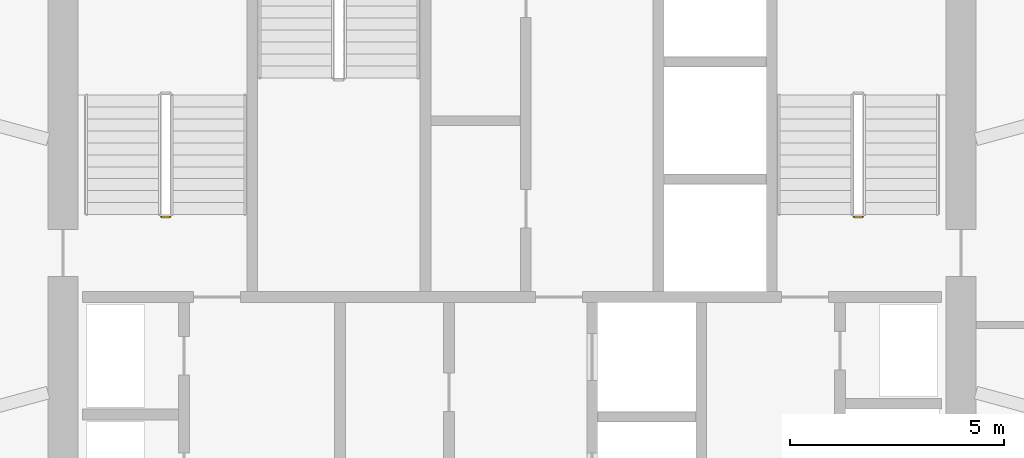
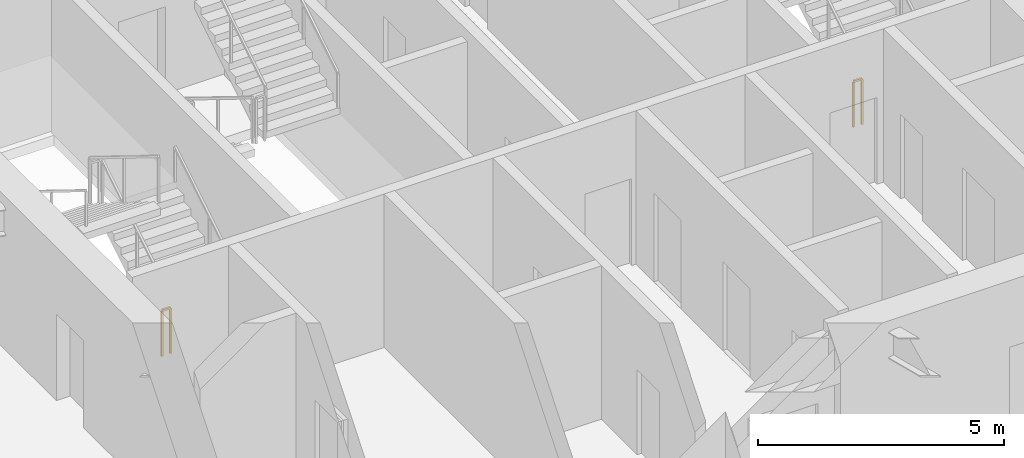
# One storey, part 26 of 28: 2 railings.
"""IFC4 building model written with IfcOpenShell, lengths in metres."""

from ifc_helpers import new_model, si_unit, direction, frame, origin, origin_2d, place, context, subcontext, project, spatial, rectangle, extrude, material, type_object, element, save


model = new_model("IFC4")

# Units and contexts
model_context = context("Model", 3, precision=1e-05, world=origin(), true_north=direction((0.0, 1.0)))
body_context = subcontext(model_context, "Body", "Model", "MODEL_VIEW")
ifc_project = project(units=[si_unit("LENGTHUNIT", "METRE"), si_unit("AREAUNIT", "SQUARE_METRE"), si_unit("VOLUMEUNIT", "CUBIC_METRE"), si_unit("PLANEANGLEUNIT", "RADIAN"), si_unit("MASSUNIT", "GRAM", prefix="KILO")], contexts=[model_context])

# Site, building, storey
site_placement = place(None, origin())
site = spatial("IfcSite", under=ifc_project, at=site_placement, CompositionType="ELEMENT")
building_placement = place(site_placement, origin())
building = spatial("IfcBuilding", under=site, at=building_placement, Name="Zuhravey Tower", CompositionType="ELEMENT")
storey_placement = place(building_placement, frame((0.0, 0.0, 154.199951171875)))
storey = spatial("IfcBuildingStorey", under=building, at=storey_placement, Name="L38", CompositionType="ELEMENT", Elevation=154.199951171875)

# Railings
ifc_material = material(Name="Painted tubular steel", Category="steel")
railing_type = type_object("IfcRailingType", Name="Stair Well Guardrail 1150", PredefinedType="GUARDRAIL", material=ifc_material)
for number, where, name in (
    (1, (28.0, 33.14990234375, 0.0), "L38 ST1 stair guard 4"),
    (2, (44.199951171875, 33.14990234375, 0.0), "L38 ST2 stair guard 4"),
):
    element("IfcRailing", number, at=place(storey_placement, frame(where)), inside=storey, type_object=railing_type, Name=name, PredefinedType="GUARDRAIL", context=body_context, shape_type="SweptSolid", body=[
        extrude(rectangle(XDim=0.048095703125, YDim=0.048095703125, at=origin_2d()), frame((-0.001953125, 0.0, 1.1259765625), z_axis=(-1.0, 0.0, 0.0), x_axis=(0.0, -1.0, 0.0)), (0.0, 0.0, 1.0), 0.196044921875),
        extrude(rectangle(XDim=0.0419921875, YDim=0.0419921875, at=origin_2d()), origin(), (0.0, 0.0, 1.0), 1.099853515625),
        extrude(rectangle(XDim=0.0419921875, YDim=0.0419921875, at=origin_2d()), frame((-0.199951171875, 0.0, 0.0)), (0.0, 0.0, 1.0), 1.099853515625),
    ])

save(model, "model.ifc")
